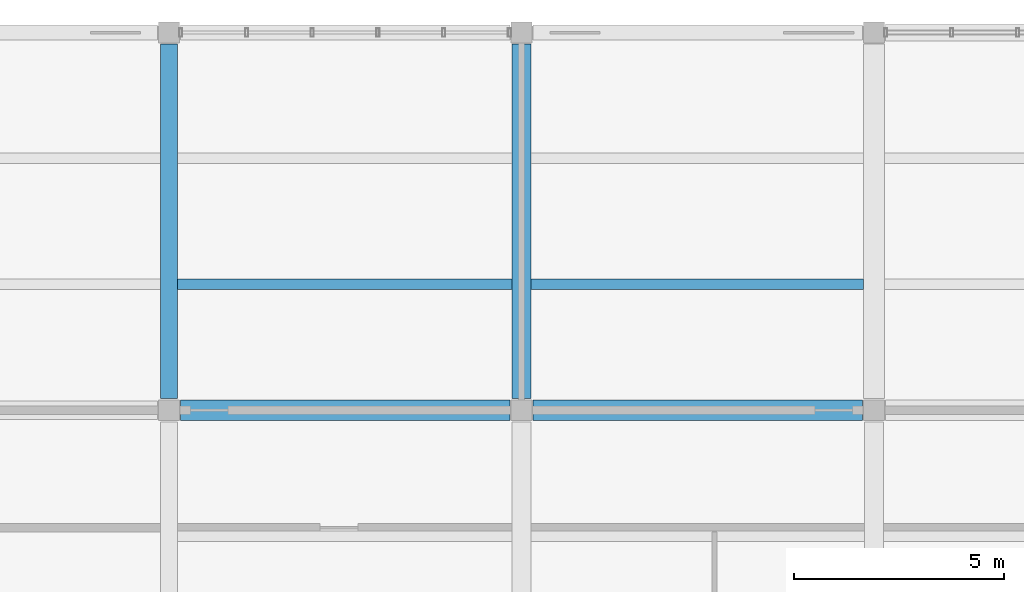
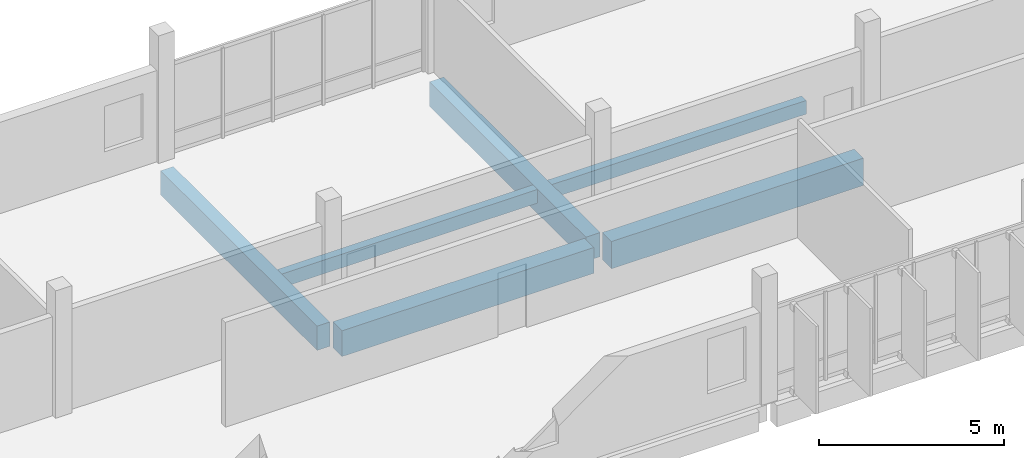
# One storey, part 50 of 107: 6 beams.
"""IFC4 building model written with IfcOpenShell, lengths in metres."""

from ifc_helpers import new_model, si_unit, direction, frame, origin, origin_2d, place, context, subcontext, project, spatial, rectangle, extrude, material, material_profile, profile_set, type_object, element, save


model = new_model("IFC4")

# Units and contexts
model_context = context("Model", 3, precision=1e-05, world=origin(), true_north=direction((0.0, 1.0)))
body_context = subcontext(model_context, "Body", "Model", "MODEL_VIEW")
ifc_project = project(units=[si_unit("LENGTHUNIT", "METRE"), si_unit("AREAUNIT", "SQUARE_METRE"), si_unit("VOLUMEUNIT", "CUBIC_METRE"), si_unit("PLANEANGLEUNIT", "RADIAN"), si_unit("MASSUNIT", "GRAM", prefix="KILO")], contexts=[model_context])

# Site, building, storey
site_placement = place(None, origin())
site = spatial("IfcSite", under=ifc_project, at=site_placement, CompositionType="ELEMENT")
building_placement = place(site_placement, origin())
building = spatial("IfcBuilding", under=site, at=building_placement, Name="Vireocrest Preparatory School", CompositionType="ELEMENT")
storey_placement = place(building_placement, frame((0.0, 0.0, 13.199951171875)))
storey = spatial("IfcBuildingStorey", under=building, at=storey_placement, Name="L03", CompositionType="ELEMENT", Elevation=13.199951171875)

# Beams
ifc_material = material(Name="Concrete 40 MPa", Category="concrete")
ifc_material_profile_1 = material_profile(ifc_material, rectangle(XDim=0.39990234375, YDim=0.800048828125, at=origin_2d()), Name="RC 400x800")
ifc_profile_set_1 = profile_set([ifc_material_profile_1], Name="Concrete 40 MPa")
beam_type_1 = type_object("IfcBeamType", Name="RC Library Reading Girder 400x800", PredefinedType="BEAM", material=ifc_profile_set_1)
beam_1_placement = place(storey_placement, frame((67.199951171875, 104.074951171875, -0.639892578125), z_axis=(0.0, 1.0, 0.0), x_axis=(-1.0, 0.0, 0.0)))
element("IfcBeam", 1, at=beam_1_placement, inside=storey, type_object=beam_type_1, Name="Primary Girder B10 L03-1137", PredefinedType="BEAM", context=body_context, shape_type="SweptSolid", body=[
    extrude(rectangle(XDim=0.39990234375, YDim=0.800048828125, at=origin_2d()), origin(), (0.0, 0.0, 1.0), 8.449951171875),
])
ifc_material_profile_2 = material_profile(ifc_material, rectangle(XDim=0.449951171875, YDim=0.800048828125, at=origin_2d()), Name="RC 450x800")
ifc_profile_set_2 = profile_set([ifc_material_profile_2], Name="Concrete 40 MPa")
beam_type_2 = type_object("IfcBeamType", Name="RC Library Stack Girder 450x800", PredefinedType="BEAM", material=ifc_profile_set_2)
beam_2_placement = place(storey_placement, frame((75.60009765625, 104.074951171875, -0.639892578125), z_axis=(0.0, 1.0, 0.0), x_axis=(-1.0, 0.0, 0.0)))
element("IfcBeam", 2, at=beam_2_placement, inside=storey, type_object=beam_type_2, Name="Primary Girder B12 L03-1139", PredefinedType="BEAM", context=body_context, shape_type="SweptSolid", body=[
    extrude(rectangle(XDim=0.449951171875, YDim=0.800048828125, at=origin_2d()), origin(), (0.0, 0.0, 1.0), 8.449951171875),
])
ifc_material_profile_3 = material_profile(ifc_material, rectangle(XDim=0.5, YDim=0.85009765625, at=origin_2d()), Name="RC 500x850")
ifc_profile_set_3 = profile_set([ifc_material_profile_3], Name="Concrete 40 MPa")
beam_type_3 = type_object("IfcBeamType", Name="RC Podium Girder 500x850", PredefinedType="BEAM", material=ifc_profile_set_3)
beam_3_placement = place(storey_placement, frame((67.47509765625, 103.800048828125, -0.6650390625), z_axis=(1.0, 0.0, 0.0), x_axis=(0.0, 1.0, 0.0)))
element("IfcBeam", 3, at=beam_3_placement, inside=storey, type_object=beam_type_3, Name="Primary Girder B14 L03-1092", PredefinedType="BEAM", context=body_context, shape_type="SweptSolid", body=[
    extrude(rectangle(XDim=0.5, YDim=0.85009765625, at=origin_2d()), origin(), (0.0, 0.0, 1.0), 7.849853515625),
])
ifc_material_profile_4 = material_profile(ifc_material, rectangle(XDim=0.5, YDim=0.89990234375, at=origin_2d()), Name="RC 500x900")
ifc_profile_set_4 = profile_set([ifc_material_profile_4], Name="Concrete 40 MPa")
beam_type_4 = type_object("IfcBeamType", Name="RC Podium Girder 500x900", PredefinedType="BEAM", material=ifc_profile_set_4)
beam_4_placement = place(storey_placement, frame((75.875, 103.800048828125, -0.68994140625), z_axis=(1.0, 0.0, 0.0), x_axis=(0.0, 1.0, 0.0)))
element("IfcBeam", 4, at=beam_4_placement, inside=storey, type_object=beam_type_4, Name="Primary Girder B15 L03-1093", PredefinedType="BEAM", context=body_context, shape_type="SweptSolid", body=[
    extrude(rectangle(XDim=0.5, YDim=0.89990234375, at=origin_2d()), origin(), (0.0, 0.0, 1.0), 7.85009765625),
])
ifc_material_profile_5 = material_profile(ifc_material, rectangle(XDim=0.25, YDim=0.449951171875, at=origin_2d()), Name="RC 250x450")
ifc_profile_set_5 = profile_set([ifc_material_profile_5], Name="Concrete 40 MPa")
beam_type_5 = type_object("IfcBeamType", Name="RC Secondary Floor Joist 250x450", PredefinedType="JOIST", material=ifc_profile_set_5)
beam_5_placement = place(storey_placement, frame((67.39990234375, 106.800048828125, -0.46484375), z_axis=(1.0, 0.0, 0.0), x_axis=(0.0, 1.0, 0.0)))
element("IfcBeam", 5, at=beam_5_placement, inside=storey, type_object=beam_type_5, Name="Secondary Joist J01 L03-1227", PredefinedType="JOIST", context=body_context, shape_type="SweptSolid", body=[
    extrude(rectangle(XDim=0.25, YDim=0.449951171875, at=origin_2d()), origin(), (0.0, 0.0, 1.0), 7.97509765625),
])
beam_6_placement = place(storey_placement, frame((75.824951171875, 106.800048828125, -0.46484375), z_axis=(1.0, 0.0, 0.0), x_axis=(0.0, 1.0, 0.0)))
element("IfcBeam", 6, at=beam_6_placement, inside=storey, type_object=beam_type_5, Name="Secondary Joist J01 L03-1231", PredefinedType="JOIST", context=body_context, shape_type="SweptSolid", body=[
    extrude(rectangle(XDim=0.25, YDim=0.449951171875, at=origin_2d()), origin(), (0.0, 0.0, 1.0), 7.925048828125),
])

save(model, "model.ifc")
